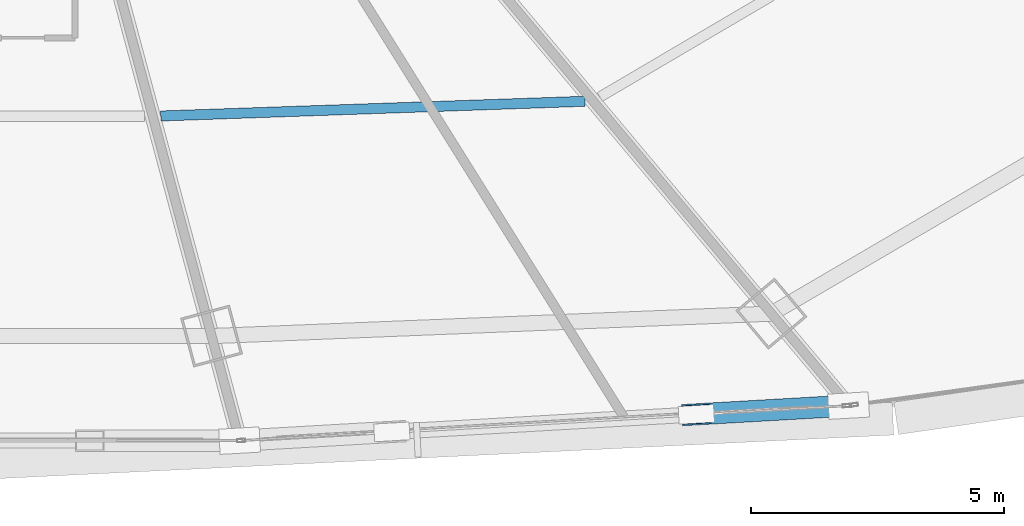
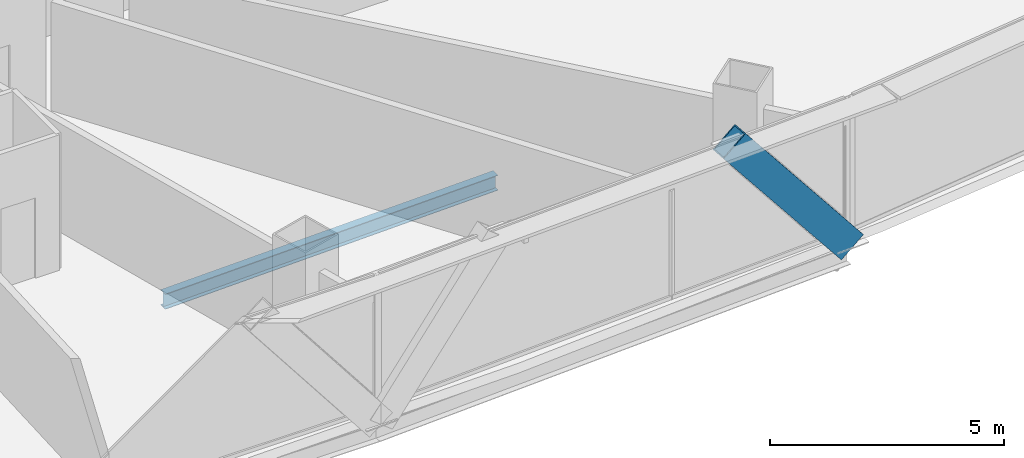
# One storey, part 11 of 38: 1 beam, 1 member.
"""IFC4 building model written with IfcOpenShell, lengths in metres."""

from ifc_helpers import new_model, si_unit, direction, frame, origin, origin_2d, place, context, subcontext, project, spatial, hollow_rectangle, i_section, extrude, source, transform, mapped, material, material_profile, profile_set, type_object, element, save


model = new_model("IFC4")

# Units and contexts
model_context = context("Model", 3, precision=1e-05, world=origin(), true_north=direction((0.0, 1.0)))
body_context = subcontext(model_context, "Body", "Model", "MODEL_VIEW")
ifc_project = project(units=[si_unit("LENGTHUNIT", "METRE"), si_unit("AREAUNIT", "SQUARE_METRE"), si_unit("VOLUMEUNIT", "CUBIC_METRE"), si_unit("PLANEANGLEUNIT", "RADIAN"), si_unit("MASSUNIT", "GRAM", prefix="KILO"), si_unit("THERMODYNAMICTEMPERATUREUNIT", "KELVIN"), si_unit("POWERUNIT", "WATT")], contexts=[model_context])

# Site, building, storey
site_placement = place(None, origin())
site = spatial("IfcSite", under=ifc_project, at=site_placement, CompositionType="ELEMENT")
building_placement = place(site_placement, origin())
building = spatial("IfcBuilding", under=site, at=building_placement, Name="Yunzhuo Pagoda Commons", CompositionType="ELEMENT")
storey_placement = place(building_placement, frame((0.0, 0.0, 81.179931640625)))
storey = spatial("IfcBuildingStorey", under=building, at=storey_placement, Name="L20", CompositionType="ELEMENT", Elevation=81.179931640625)

# Beam
ifc_material_1 = material(Name="Structural steel Q355B", Category="steel")
ifc_material_profile_1 = material_profile(ifc_material_1, i_section(OverallWidth=0.199951171875, OverallDepth=0.39990234375, WebThickness=0.008056640625, FlangeThickness=0.012939453125, at=origin_2d()), Name="Structural steel Q355B")
ifc_profile_set_1 = profile_set([ifc_material_profile_1], Name="Structural steel Q355B")
beam_type = type_object("IfcBeamType", Name="B-JS1 Joist HN 400x200x8x13", PredefinedType="JOIST", material=ifc_profile_set_1)
shared_shape_1 = source(origin(), body_context, "Body", "SweptSolid", [
    extrude(i_section(OverallWidth=0.199951171875, OverallDepth=0.39990234375, WebThickness=0.008056640625, FlangeThickness=0.012939453125, at=origin_2d()), origin(), (0.0, 0.0, 1.0), 8.392822265625),
])
beam_placement = place(storey_placement, frame((52.36181640625, 18.020263671875, -0.4599609375), z_axis=(0.999400667027, 0.034616567521, 0.0), x_axis=(-0.034616567521, 0.999400667027, 0.0)))
element("IfcBeam", 1, at=beam_placement, inside=storey, type_object=beam_type, Name="L20 composite ring joist 2.3", PredefinedType="JOIST", context=body_context, shape_type="MappedRepresentation", body=[
    mapped(shared_shape_1, transform((0.0, 0.0, 0.0), scale=1.0)),
])

# Member
ifc_material_2 = material(Name="Structural steel Q420B", Category="steel")
ifc_material_profile_2 = material_profile(ifc_material_2, hollow_rectangle(XDim=0.419921875, YDim=0.719970703125, WallThickness=0.028076171875, at=origin_2d()), Name="Structural steel Q420B")
ifc_profile_set_2 = profile_set([ifc_material_profile_2], Name="Structural steel Q420B")
member_type = type_object("IfcMemberType", Name="M-DL1 Brace BOX 720x420x28", PredefinedType="BRACE", material=ifc_profile_set_2)
shared_shape_2 = source(origin(), body_context, "Body", "SweptSolid", [
    extrude(hollow_rectangle(XDim=0.419921875, YDim=0.719970703125, WallThickness=0.028076171875, at=origin_2d()), origin(), (0.0, 0.0, 1.0), 4.85107421875),
])
member_placement = place(storey_placement, frame((65.962158203125, 12.293701171875, -0.260009765625), z_axis=(-0.62054722901, -0.035632395632, 0.783359093232), x_axis=(0.057326494961, -0.998355484272, 0.0)))
element("IfcMember", 2, at=member_placement, inside=storey, type_object=member_type, Name="L20 facade diamond brace F1.3R", PredefinedType="BRACE", context=body_context, shape_type="MappedRepresentation", body=[
    mapped(shared_shape_2, transform((0.0, 0.0, 0.0), scale=1.0)),
])

save(model, "model.ifc")
